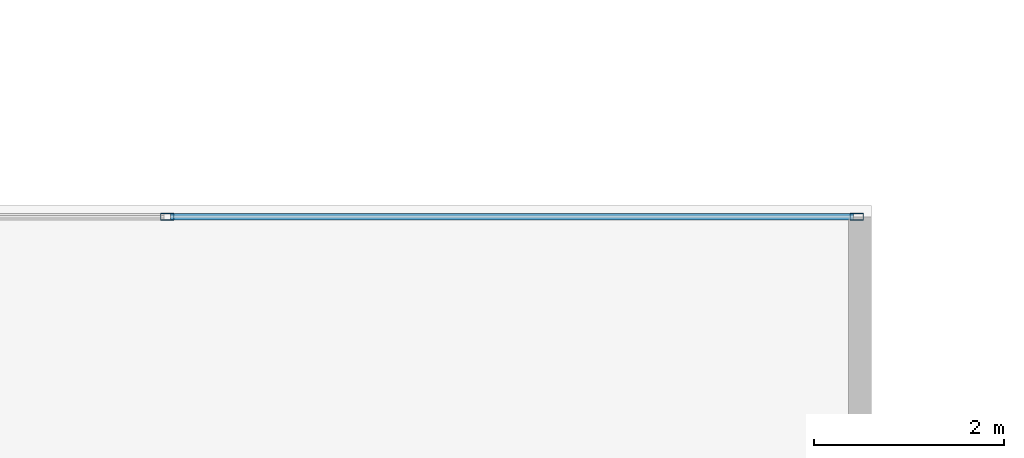
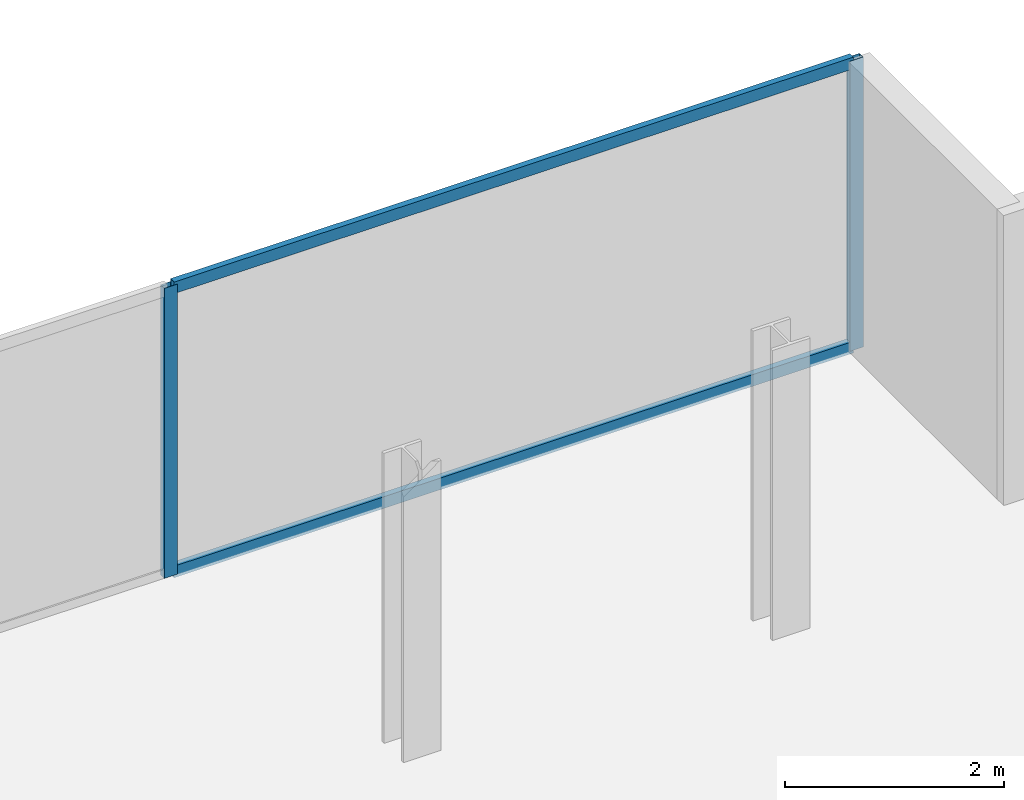
# One storey, part 17 of 24: 4 members, 1 element without a shape of its own.
"""IFC4 building model written with IfcOpenShell, lengths in metres."""

from ifc_helpers import new_model, si_unit, direction, frame, origin, origin_2d, place, context, subcontext, project, spatial, hollow_rectangle, extrude, material, material_profile, profile_set, type_object, element, aggregate, save


model = new_model("IFC4")

# Units and contexts
model_context = context("Model", 3, precision=1e-05, world=origin(), true_north=direction((0.0, 1.0)))
body_context = subcontext(model_context, "Body", "Model", "MODEL_VIEW")
ifc_project = project(units=[si_unit("LENGTHUNIT", "METRE"), si_unit("AREAUNIT", "SQUARE_METRE"), si_unit("VOLUMEUNIT", "CUBIC_METRE"), si_unit("PLANEANGLEUNIT", "RADIAN"), si_unit("MASSUNIT", "GRAM", prefix="KILO")], contexts=[model_context])

# Site, building, storey
site_placement = place(None, origin())
site = spatial("IfcSite", under=ifc_project, at=site_placement, CompositionType="ELEMENT")
building_placement = place(site_placement, origin())
building = spatial("IfcBuilding", under=site, at=building_placement, Name="Cobrela Telecom Tower", CompositionType="ELEMENT")
storey_placement = place(building_placement, frame((0.0, 0.0, 244.64990234375)))
storey = spatial("IfcBuildingStorey", under=building, at=storey_placement, Name="L63", CompositionType="ELEMENT", Elevation=244.64990234375)

# Curtain wall, members
ifc_material = material(Name="Anodized Bronze Aluminium 6063-T6", Category="aluminium")
curtain_wall_type = type_object("IfcCurtainWallType", Name="CW-SYS-OFF-HI", PredefinedType="USERDEFINED", material=ifc_material)
curtain_wall_placement = place(storey_placement, origin())
curtain_wall = element("IfcCurtainWall", 1, at=curtain_wall_placement, inside=storey, type_object=curtain_wall_type, Name="L63 Unitised Bronze Curtain Wall 09", ObjectType="UNITISED CURTAIN WALL", PredefinedType="USERDEFINED")
ifc_material_profile_1 = material_profile(ifc_material, hollow_rectangle(XDim=0.070068359375, YDim=0.139892578125, WallThickness=0.00390625, at=origin_2d()), Name="ALU 70x140x4")
ifc_profile_set_1 = profile_set([ifc_material_profile_1], Name="Anodized Bronze Aluminium 6063-T6")
member_type_1 = type_object("IfcMemberType", Name="CW-SYS-OFF-HI-MUL", PredefinedType="MULLION", material=ifc_profile_set_1)
member_1_placement = place(storey_placement, frame((35.44677734375, 25.080078125, 0.0), z_axis=(0.0, 0.0, 1.0), x_axis=(0.0, 1.0, 0.0)))
member_1 = element("IfcMember", 2, at=member_1_placement, type_object=member_type_1, Name="CW-OFF-HI mullion 3", PredefinedType="MULLION", context=body_context, shape_type="SweptSolid", body=[
    extrude(hollow_rectangle(XDim=0.070068359375, YDim=0.139892578125, WallThickness=0.00390625, at=origin_2d()), origin(), (0.0, 0.0, 1.0), 3.239990234375),
])
member_2_placement = place(storey_placement, frame((42.695068359375, 25.080078125, 0.0), z_axis=(0.0, 0.0, 1.0), x_axis=(0.0, 1.0, 0.0)))
member_2 = element("IfcMember", 3, at=member_2_placement, type_object=member_type_1, Name="CW-OFF-HI mullion 4", PredefinedType="MULLION", context=body_context, shape_type="SweptSolid", body=[
    extrude(hollow_rectangle(XDim=0.070068359375, YDim=0.139892578125, WallThickness=0.00390625, at=origin_2d()), origin(), (0.0, 0.0, 1.0), 3.239990234375),
])
ifc_material_profile_2 = material_profile(ifc_material, hollow_rectangle(XDim=0.06494140625, YDim=0.1298828125, WallThickness=0.00390625, at=origin_2d()), Name="ALU 65x130x4")
ifc_profile_set_2 = profile_set([ifc_material_profile_2], Name="Anodized Bronze Aluminium 6063-T6")
member_type_2 = type_object("IfcMemberType", Name="CW-SYS-OFF-HI-TRN", PredefinedType="USERDEFINED", material=ifc_profile_set_2)
member_3_placement = place(storey_placement, frame((35.481689453125, 25.080078125, 0.03271484375), z_axis=(1.0, 0.0, 0.0), x_axis=(0.0, 1.0, 0.0)))
member_3 = element("IfcMember", 4, at=member_3_placement, type_object=member_type_2, Name="CW-OFF-HI transom 3.1", ObjectType="TRANSOM", PredefinedType="USERDEFINED", context=body_context, shape_type="SweptSolid", body=[
    extrude(hollow_rectangle(XDim=0.06494140625, YDim=0.1298828125, WallThickness=0.00390625, at=origin_2d()), origin(), (0.0, 0.0, 1.0), 7.17822265625),
])
member_4_placement = place(storey_placement, frame((35.481689453125, 25.080078125, 3.20751953125), z_axis=(1.0, 0.0, 0.0), x_axis=(0.0, 1.0, 0.0)))
member_4 = element("IfcMember", 5, at=member_4_placement, type_object=member_type_2, Name="CW-OFF-HI transom 3.2", ObjectType="TRANSOM", PredefinedType="USERDEFINED", context=body_context, shape_type="SweptSolid", body=[
    extrude(hollow_rectangle(XDim=0.06494140625, YDim=0.1298828125, WallThickness=0.00390625, at=origin_2d()), origin(), (0.0, 0.0, 1.0), 7.17822265625),
])
aggregate(curtain_wall, [member_1, member_2, member_3, member_4])

save(model, "model.ifc")
